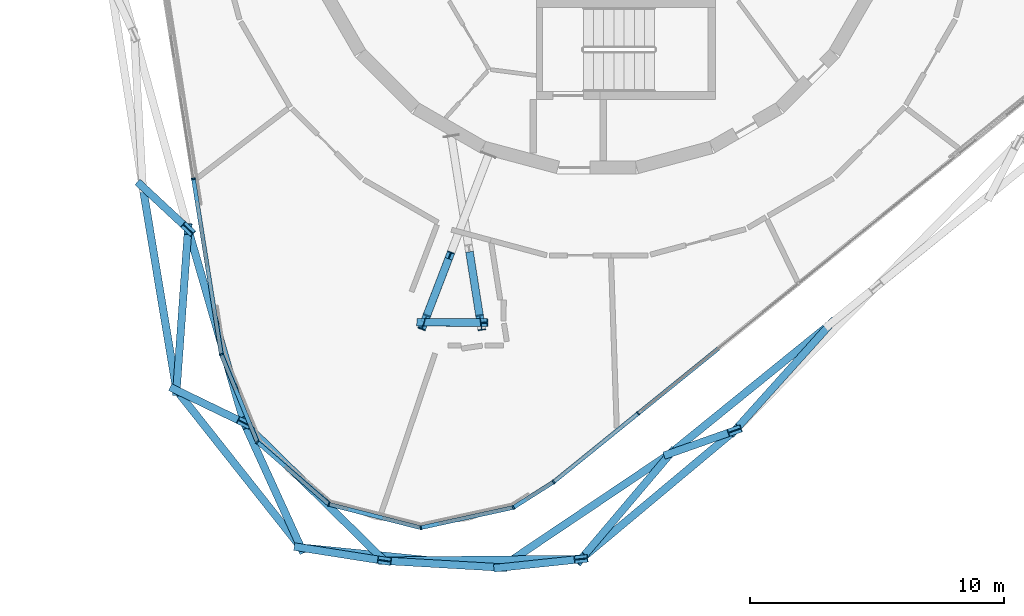
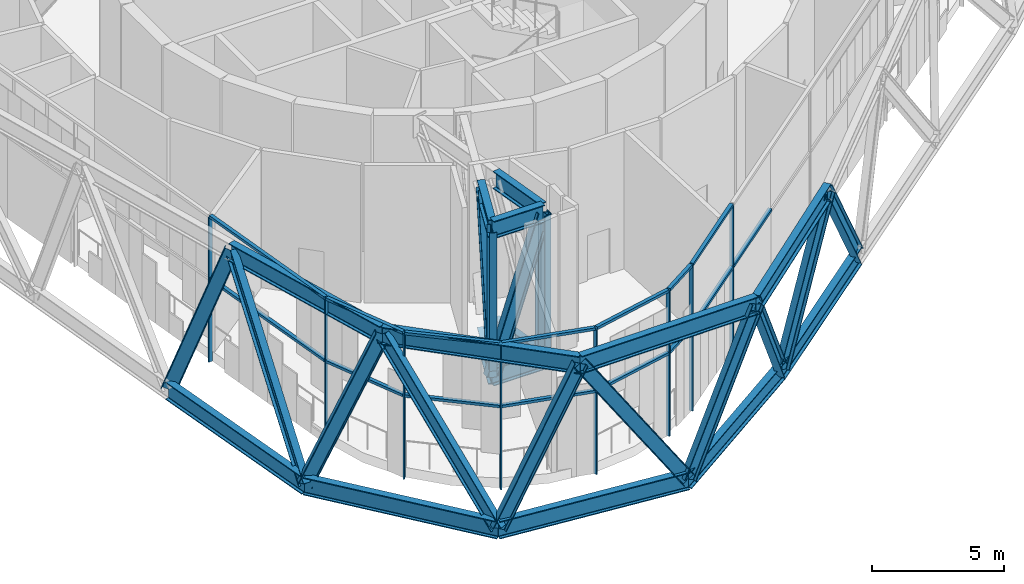
# One storey, part 1 of 25: 52 members, 2 elements without a shape of their own.
"""IFC4 building model written with IfcOpenShell, lengths in metres."""

from ifc_helpers import new_model, si_unit, direction, frame, origin, origin_2d, place, context, subcontext, project, spatial, rectangle, i_section, extrude, material, layer, layer_set, material_profile, profile_set, type_object, element, aggregate, save


model = new_model("IFC4")

# Units and contexts
model_context = context("Model", 3, precision=1e-05, world=origin(), true_north=direction((0.0, 1.0)))
body_context = subcontext(model_context, "Body", "Model", "MODEL_VIEW")
ifc_project = project(units=[si_unit("LENGTHUNIT", "METRE"), si_unit("AREAUNIT", "SQUARE_METRE"), si_unit("VOLUMEUNIT", "CUBIC_METRE"), si_unit("PLANEANGLEUNIT", "RADIAN"), si_unit("MASSUNIT", "GRAM", prefix="KILO")], contexts=[model_context])

# Site, building, storey
site_placement = place(None, origin())
site = spatial("IfcSite", under=ifc_project, at=site_placement, CompositionType="ELEMENT")
building_placement = place(site_placement, origin())
building = spatial("IfcBuilding", under=site, at=building_placement, Name="Spindle Arch Residences", CompositionType="ELEMENT")
storey_placement = place(building_placement, frame((0.0, 0.0, 291.39990234375)))
storey = spatial("IfcBuildingStorey", under=building, at=storey_placement, Name="L75", CompositionType="ELEMENT", Elevation=291.39990234375)

# Members
ifc_material_1 = material(Name="Steel S460ML, intumescent coating R 240", Category="steel")
ifc_material_profile_1 = material_profile(ifc_material_1, i_section(OverallWidth=0.302978515625, OverallDepth=0.81396484375, WebThickness=0.02099609375, FlangeThickness=0.0400390625, FilletRadius=0.030029296875, at=origin_2d()), Name="HEM 800")
ifc_profile_set_1 = profile_set([ifc_material_profile_1], Name="Steel S460ML, intumescent coating R 240")
member_type_1 = type_object("IfcMemberType", Name="Belt truss chord HEM 800", PredefinedType="CHORD", material=ifc_profile_set_1)
member_1_placement = place(storey_placement, frame((-17.87548828125, -12.407958984375, -0.85693359375), z_axis=(0.163944723379, -0.986469526988, 0.0), x_axis=(0.986469526988, 0.163944723379, 0.0)))
element("IfcMember", 1, at=member_1_placement, inside=storey, type_object=member_type_1, Name="Belt truss bottom chord L75.15", PredefinedType="CHORD", context=body_context, shape_type="SweptSolid", body=[
    extrude(i_section(OverallWidth=0.302978515625, OverallDepth=0.81396484375, WebThickness=0.02099609375, FlangeThickness=0.0400390625, FilletRadius=0.030029296875, at=origin_2d()), origin(), (0.0, 0.0, 1.0), 8.10546875),
])
member_2_placement = place(storey_placement, frame((-16.546630859375, -20.40380859375, -0.85693359375), z_axis=(0.62028604963, -0.784375685902, 0.0), x_axis=(0.784375685902, 0.62028604963, 0.0)))
element("IfcMember", 2, at=member_2_placement, inside=storey, type_object=member_type_1, Name="Belt truss bottom chord L75.16", PredefinedType="CHORD", context=body_context, shape_type="SweptSolid", body=[
    extrude(i_section(OverallWidth=0.302978515625, OverallDepth=0.81396484375, WebThickness=0.02099609375, FlangeThickness=0.0400390625, FilletRadius=0.030029296875, at=origin_2d()), origin(), (0.0, 0.0, 1.0), 7.8916015625),
])
member_3_placement = place(storey_placement, frame((-11.651611328125, -26.59375, -0.85693359375), z_axis=(0.995109517172, -0.098777774997, 0.0), x_axis=(0.098777774997, 0.995109517172, 0.0)))
element("IfcMember", 3, at=member_3_placement, inside=storey, type_object=member_type_1, Name="Belt truss bottom chord L75.17", PredefinedType="CHORD", context=body_context, shape_type="SweptSolid", body=[
    extrude(i_section(OverallWidth=0.302978515625, OverallDepth=0.81396484375, WebThickness=0.02099609375, FlangeThickness=0.0400390625, FilletRadius=0.030029296875, at=origin_2d()), origin(), (0.0, 0.0, 1.0), 7.891845703125),
])
member_4_placement = place(storey_placement, frame((-3.79833984375, -27.373291015625, -0.85693359375), z_axis=(0.829902137113, 0.557908991517, 0.0), x_axis=(-0.557908991517, 0.829902137113, 0.0)))
element("IfcMember", 4, at=member_4_placement, inside=storey, type_object=member_type_1, Name="Belt truss bottom chord L75.18", PredefinedType="CHORD", context=body_context, shape_type="SweptSolid", body=[
    extrude(i_section(OverallWidth=0.302978515625, OverallDepth=0.81396484375, WebThickness=0.02099609375, FlangeThickness=0.0400390625, FilletRadius=0.030029296875, at=origin_2d()), origin(), (0.0, 0.0, 1.0), 8.048828125),
])
member_5_placement = place(storey_placement, frame((2.88134765625, -22.8828125, -0.85693359375), z_axis=(0.777144581934, 0.629322094615, 0.0), x_axis=(-0.629322094615, 0.777144581934, 0.0)))
element("IfcMember", 5, at=member_5_placement, inside=storey, type_object=member_type_1, Name="Belt truss bottom chord L75.19", PredefinedType="CHORD", context=body_context, shape_type="SweptSolid", body=[
    extrude(i_section(OverallWidth=0.302978515625, OverallDepth=0.81396484375, WebThickness=0.02099609375, FlangeThickness=0.0400390625, FilletRadius=0.030029296875, at=origin_2d()), origin(), (0.0, 0.0, 1.0), 8.107666015625),
])
member_6_placement = place(storey_placement, frame((-16.090087890625, -14.069091796875, 5.943115234375), z_axis=(0.277695582509, -0.960669122776, 0.0), x_axis=(0.960669122776, 0.277695582509, 0.0)))
element("IfcMember", 6, at=member_6_placement, inside=storey, type_object=member_type_1, Name="Belt truss top chord L75.15", PredefinedType="CHORD", context=body_context, shape_type="SweptSolid", body=[
    extrude(i_section(OverallWidth=0.302978515625, OverallDepth=0.81396484375, WebThickness=0.02099609375, FlangeThickness=0.0400390625, FilletRadius=0.030029296875, at=origin_2d()), origin(), (0.0, 0.0, 1.0), 7.931884765625),
])
member_7_placement = place(storey_placement, frame((-13.887451171875, -21.68896484375, 5.943115234375), z_axis=(0.713111540448, -0.701050590813, 0.0), x_axis=(0.701050590813, 0.713111540448, 0.0)))
element("IfcMember", 7, at=member_7_placement, inside=storey, type_object=member_type_1, Name="Belt truss top chord L75.16", PredefinedType="CHORD", context=body_context, shape_type="SweptSolid", body=[
    extrude(i_section(OverallWidth=0.302978515625, OverallDepth=0.81396484375, WebThickness=0.02099609375, FlangeThickness=0.0400390625, FilletRadius=0.030029296875, at=origin_2d()), origin(), (0.0, 0.0, 1.0), 7.732421875),
])
member_8_placement = place(storey_placement, frame((-8.373291015625, -27.10986328125, 5.943115234375), z_axis=(0.999961202641, 0.00880870092, 0.0), x_axis=(-0.00880870092, 0.999961202641, 0.0)))
element("IfcMember", 8, at=member_8_placement, inside=storey, type_object=member_type_1, Name="Belt truss top chord L75.17", PredefinedType="CHORD", context=body_context, shape_type="SweptSolid", body=[
    extrude(i_section(OverallWidth=0.302978515625, OverallDepth=0.81396484375, WebThickness=0.02099609375, FlangeThickness=0.0400390625, FilletRadius=0.030029296875, at=origin_2d()), origin(), (0.0, 0.0, 1.0), 7.732666015625),
])
member_9_placement = place(storey_placement, frame((-0.640869140625, -27.041748046875, 5.943115234375), z_axis=(0.76713209274, 0.64148916771, 0.0), x_axis=(-0.64148916771, 0.76713209274, 0.0)))
element("IfcMember", 9, at=member_9_placement, inside=storey, type_object=member_type_1, Name="Belt truss top chord L75.18", PredefinedType="CHORD", context=body_context, shape_type="SweptSolid", body=[
    extrude(i_section(OverallWidth=0.302978515625, OverallDepth=0.81396484375, WebThickness=0.02099609375, FlangeThickness=0.0400390625, FilletRadius=0.030029296875, at=origin_2d()), origin(), (0.0, 0.0, 1.0), 7.87158203125),
])
ifc_material_2 = material(Name="Steel S460ML, intumescent coating R 240", Category="steel")
ifc_material_profile_2 = material_profile(ifc_material_2, i_section(OverallWidth=0.300048828125, OverallDepth=0.60009765625, WebThickness=0.015380859375, FlangeThickness=0.030029296875, FilletRadius=0.027099609375, at=origin_2d()), Name="HEB 600")
ifc_profile_set_2 = profile_set([ifc_material_profile_2], Name="Steel S460ML, intumescent coating R 240")
member_type_2 = type_object("IfcMemberType", Name="Belt truss diagonal HEB 600", PredefinedType="BRACE", material=ifc_profile_set_2)
member_10_placement = place(storey_placement, frame((-17.87548828125, -12.407958984375, -0.85693359375), z_axis=(0.247144885006, -0.229943087321, 0.94129994285), x_axis=(0.681168843444, 0.732126359804, 0.0)))
element("IfcMember", 10, at=member_10_placement, inside=storey, type_object=member_type_2, Name="Belt truss diagonal L75.15.15", PredefinedType="BRACE", context=body_context, shape_type="SweptSolid", body=[
    extrude(i_section(OverallWidth=0.300048828125, OverallDepth=0.60009765625, WebThickness=0.015380859375, FlangeThickness=0.030029296875, FilletRadius=0.027099609375, at=origin_2d()), origin(), (0.0, 0.0, 1.0), 7.22412109375),
])
member_11_placement = place(storey_placement, frame((-16.546630859375, -20.40380859375, -0.85693359375), z_axis=(0.049065762808, 0.680807137744, 0.730817482082), x_axis=(-0.997413031701, 0.071883546047, 0.0)))
element("IfcMember", 11, at=member_11_placement, inside=storey, type_object=member_type_2, Name="Belt truss diagonal L75.15.16", PredefinedType="BRACE", context=body_context, shape_type="SweptSolid", body=[
    extrude(i_section(OverallWidth=0.300048828125, OverallDepth=0.60009765625, WebThickness=0.015380859375, FlangeThickness=0.030029296875, FilletRadius=0.027099609375, at=origin_2d()), origin(), (0.0, 0.0, 1.0), 9.3046875),
])
member_12_placement = place(storey_placement, frame((-16.546630859375, -20.40380859375, -0.85693359375), z_axis=(0.358682664173, -0.17334791996, 0.917222571172), x_axis=(0.435137389475, 0.90036406652, 0.0)))
element("IfcMember", 12, at=member_12_placement, inside=storey, type_object=member_type_2, Name="Belt truss diagonal L75.16.16", PredefinedType="BRACE", context=body_context, shape_type="SweptSolid", body=[
    extrude(i_section(OverallWidth=0.300048828125, OverallDepth=0.60009765625, WebThickness=0.015380859375, FlangeThickness=0.030029296875, FilletRadius=0.027099609375, at=origin_2d()), origin(), (0.0, 0.0, 1.0), 7.413818359375),
])
member_13_placement = place(storey_placement, frame((-11.651611328125, -26.59375, -0.85693359375), z_axis=(-0.257663629312, 0.565239387735, 0.783654189476), x_axis=(-0.909919229924, -0.414785480719, 0.0)))
element("IfcMember", 13, at=member_13_placement, inside=storey, type_object=member_type_2, Name="Belt truss diagonal L75.16.17", PredefinedType="BRACE", context=body_context, shape_type="SweptSolid", body=[
    extrude(i_section(OverallWidth=0.300048828125, OverallDepth=0.60009765625, WebThickness=0.015380859375, FlangeThickness=0.030029296875, FilletRadius=0.027099609375, at=origin_2d()), origin(), (0.0, 0.0, 1.0), 8.67724609375),
])
member_14_placement = place(storey_placement, frame((-11.651611328125, -26.59375, -0.85693359375), z_axis=(0.433258279575, -0.068208817621, 0.898685050715), x_axis=(0.15551679236, 0.987833248729, 0.0)))
element("IfcMember", 14, at=member_14_placement, inside=storey, type_object=member_type_2, Name="Belt truss diagonal L75.17.17", PredefinedType="BRACE", context=body_context, shape_type="SweptSolid", body=[
    extrude(i_section(OverallWidth=0.300048828125, OverallDepth=0.60009765625, WebThickness=0.015380859375, FlangeThickness=0.030029296875, FilletRadius=0.027099609375, at=origin_2d()), origin(), (0.0, 0.0, 1.0), 7.566650390625),
])
member_15_placement = place(storey_placement, frame((-3.79833984375, -27.373291015625, -0.85693359375), z_axis=(-0.557919893609, 0.032125276973, 0.829272789193), x_axis=(-0.057485229687, -0.998346356916, 0.0)))
element("IfcMember", 15, at=member_15_placement, inside=storey, type_object=member_type_2, Name="Belt truss diagonal L75.17.18", PredefinedType="BRACE", context=body_context, shape_type="SweptSolid", body=[
    extrude(i_section(OverallWidth=0.300048828125, OverallDepth=0.60009765625, WebThickness=0.015380859375, FlangeThickness=0.030029296875, FilletRadius=0.027099609375, at=origin_2d()), origin(), (0.0, 0.0, 1.0), 8.199951171875),
])
member_16_placement = place(storey_placement, frame((-3.79833984375, -27.373291015625, -0.85693359375), z_axis=(0.420733615237, 0.044178168213, 0.906107893389), x_axis=(-0.104428592112, 0.99453238718, 0.0)))
element("IfcMember", 16, at=member_16_placement, inside=storey, type_object=member_type_2, Name="Belt truss diagonal L75.18.18", PredefinedType="BRACE", context=body_context, shape_type="SweptSolid", body=[
    extrude(i_section(OverallWidth=0.300048828125, OverallDepth=0.60009765625, WebThickness=0.015380859375, FlangeThickness=0.030029296875, FilletRadius=0.027099609375, at=origin_2d()), origin(), (0.0, 0.0, 1.0), 7.504638671875),
])
member_17_placement = place(storey_placement, frame((2.88134765625, -22.8828125, -0.85693359375), z_axis=(-0.404176452733, -0.477240304451, 0.780309609619), x_axis=(0.763104150671, -0.646275525784, 0.0)))
element("IfcMember", 17, at=member_17_placement, inside=storey, type_object=member_type_2, Name="Belt truss diagonal L75.18.19", PredefinedType="BRACE", context=body_context, shape_type="SweptSolid", body=[
    extrude(i_section(OverallWidth=0.300048828125, OverallDepth=0.60009765625, WebThickness=0.015380859375, FlangeThickness=0.030029296875, FilletRadius=0.027099609375, at=origin_2d()), origin(), (0.0, 0.0, 1.0), 8.714599609375),
])
member_18_placement = place(storey_placement, frame((2.88134765625, -22.8828125, -0.85693359375), z_axis=(0.344461176311, 0.121916597573, 0.93085060093), x_axis=(-0.333652430607, 0.942696162902, 0.0)))
element("IfcMember", 18, at=member_18_placement, inside=storey, type_object=member_type_2, Name="Belt truss diagonal L75.19.19", PredefinedType="BRACE", context=body_context, shape_type="SweptSolid", body=[
    extrude(i_section(OverallWidth=0.300048828125, OverallDepth=0.60009765625, WebThickness=0.015380859375, FlangeThickness=0.030029296875, FilletRadius=0.027099609375, at=origin_2d()), origin(), (0.0, 0.0, 1.0), 7.30517578125),
])
member_19_placement = place(storey_placement, frame((9.18212890625, -17.780517578125, -0.85693359375), z_axis=(-0.427678058711, -0.475961176107, 0.768474096464), x_axis=(0.743827762199, -0.668371349014, 0.0)))
element("IfcMember", 19, at=member_19_placement, inside=storey, type_object=member_type_2, Name="Belt truss diagonal L75.19.20", PredefinedType="BRACE", context=body_context, shape_type="SweptSolid", body=[
    extrude(i_section(OverallWidth=0.300048828125, OverallDepth=0.60009765625, WebThickness=0.015380859375, FlangeThickness=0.030029296875, FilletRadius=0.027099609375, at=origin_2d()), origin(), (0.0, 0.0, 1.0), 8.848876953125),
])

# Curtain wall, members
ifc_material_3 = material(Name="Aluminium bronze unitised frame with tinted glass", Category="aluminium")
ifc_layer = layer(ifc_material_3, 0.159912109375)
ifc_layer_set = layer_set([ifc_layer], Name="CW-E double-height winter garden wall")
curtain_wall_type = type_object("IfcCurtainWallType", Name="CW-E double-height winter garden wall", PredefinedType="NOTDEFINED", material=ifc_layer_set)
curtain_wall_1_placement = place(storey_placement, origin())
curtain_wall_1 = element("IfcCurtainWall", 20, at=curtain_wall_1_placement, inside=storey, type_object=curtain_wall_type, Name="CW-E L75 run 5", PredefinedType="NOTDEFINED")
ifc_material_4 = material(Name="Aluminium bronze anodised mullion", Category="aluminium")
ifc_material_profile_3 = material_profile(ifc_material_4, rectangle(XDim=0.159912109375, YDim=0.06005859375, at=origin_2d()), Name="MU 60x160")
ifc_profile_set_3 = profile_set([ifc_material_profile_3], Name="Aluminium bronze anodised mullion")
member_type_3 = type_object("IfcMemberType", Name="Bronze mullion 60x160", PredefinedType="MULLION", material=ifc_profile_set_3)
member_20_placement = place(storey_placement, frame((-15.880615234375, -12.092041015625, -0.449951171875), z_axis=(0.0, 0.0, 1.0), x_axis=(0.987688340595, 0.15643446504, 0.0)))
member_20 = element("IfcMember", 21, at=member_20_placement, type_object=member_type_3, Name="CW-E mullion 00", PredefinedType="MULLION", context=body_context, shape_type="SweptSolid", body=[
    extrude(rectangle(XDim=0.159912109375, YDim=0.06005859375, at=origin_2d()), origin(), (0.0, 0.0, 1.0), 6.679931640625),
])
member_21_placement = place(storey_placement, frame((-14.787109375, -18.99560546875, -0.449951171875), z_axis=(0.0, 0.0, 1.0), x_axis=(0.92498880334, 0.379994360085, 0.0)))
member_21 = element("IfcMember", 22, at=member_21_placement, type_object=member_type_3, Name="CW-E mullion 01", PredefinedType="MULLION", context=body_context, shape_type="SweptSolid", body=[
    extrude(rectangle(XDim=0.159912109375, YDim=0.06005859375, at=origin_2d()), origin(), (0.0, 0.0, 1.0), 6.679931640625),
])
member_22_placement = place(storey_placement, frame((-13.370849609375, -22.44287109375, -0.449951171875), z_axis=(0.0, 0.0, 1.0), x_axis=(0.656059025711, 0.754709583074, 0.0)))
member_22 = element("IfcMember", 23, at=member_22_placement, type_object=member_type_3, Name="CW-E mullion 02", PredefinedType="MULLION", context=body_context, shape_type="SweptSolid", body=[
    extrude(rectangle(XDim=0.159912109375, YDim=0.06005859375, at=origin_2d()), origin(), (0.0, 0.0, 1.0), 6.679931640625),
])
member_23_placement = place(storey_placement, frame((-10.558349609375, -24.887939453125, -0.449951171875), z_axis=(0.0, 0.0, 1.0), x_axis=(0.247562720743, 0.968871869392, 0.0)))
member_23 = element("IfcMember", 24, at=member_23_placement, type_object=member_type_3, Name="CW-E mullion 03", PredefinedType="MULLION", context=body_context, shape_type="SweptSolid", body=[
    extrude(rectangle(XDim=0.159912109375, YDim=0.06005859375, at=origin_2d()), origin(), (0.0, 0.0, 1.0), 6.679931640625),
])
member_24_placement = place(storey_placement, frame((-6.947509765625, -25.810546875, -0.449951171875), z_axis=(0.0, 0.0, 1.0), x_axis=(-0.213598770213, 0.976921473489, 0.0)))
member_24 = element("IfcMember", 25, at=member_24_placement, type_object=member_type_3, Name="CW-E mullion 04", PredefinedType="MULLION", context=body_context, shape_type="SweptSolid", body=[
    extrude(rectangle(XDim=0.159912109375, YDim=0.06005859375, at=origin_2d()), origin(), (0.0, 0.0, 1.0), 6.679931640625),
])
member_25_placement = place(storey_placement, frame((-3.306884765625, -25.014404296875, -0.449951171875), z_axis=(0.0, 0.0, 1.0), x_axis=(-0.53484401224, 0.844950816658, 0.0)))
member_25 = element("IfcMember", 26, at=member_25_placement, type_object=member_type_3, Name="CW-E mullion 05", PredefinedType="MULLION", context=body_context, shape_type="SweptSolid", body=[
    extrude(rectangle(XDim=0.159912109375, YDim=0.06005859375, at=origin_2d()), origin(), (0.0, 0.0, 1.0), 6.679931640625),
])
member_26_placement = place(storey_placement, frame((-1.7216796875, -24.010986328125, -0.449951171875), z_axis=(0.0, 0.0, 1.0), x_axis=(-0.62932039105, 0.777145961457, 0.0)))
member_26 = element("IfcMember", 27, at=member_26_placement, type_object=member_type_3, Name="CW-E mullion 06", PredefinedType="MULLION", context=body_context, shape_type="SweptSolid", body=[
    extrude(rectangle(XDim=0.159912109375, YDim=0.06005859375, at=origin_2d()), origin(), (0.0, 0.0, 1.0), 6.679931640625),
])

# Curtain wall, member
curtain_wall_2_placement = place(storey_placement, origin())
curtain_wall_2 = element("IfcCurtainWall", 28, at=curtain_wall_2_placement, inside=storey, type_object=curtain_wall_type, Name="CW-E L75 run 6", PredefinedType="NOTDEFINED")
member_27_placement = place(storey_placement, frame((1.610107421875, -21.31298828125, -0.449951171875), z_axis=(0.0, 0.0, 1.0), x_axis=(-0.62932039105, 0.777145961457, 0.0)))
member_27 = element("IfcMember", 29, at=member_27_placement, type_object=member_type_3, Name="CW-E mullion 18", PredefinedType="MULLION", context=body_context, shape_type="SweptSolid", body=[
    extrude(rectangle(XDim=0.159912109375, YDim=0.06005859375, at=origin_2d()), origin(), (0.0, 0.0, 1.0), 6.679931640625),
])

# Member
ifc_material_5 = material(Name="Aluminium bronze anodised transom", Category="aluminium")
ifc_material_profile_4 = material_profile(ifc_material_5, rectangle(XDim=0.159912109375, YDim=0.1201171875, at=origin_2d()), Name="TR 120x160")
ifc_profile_set_4 = profile_set([ifc_material_profile_4], Name="Aluminium bronze anodised transom")
member_type_4 = type_object("IfcMemberType", Name="Bronze transom 120x160", PredefinedType="USERDEFINED", material=ifc_profile_set_4)
member_28_placement = place(storey_placement, frame((-15.875732421875, -12.12158203125, 6.2900390625), z_axis=(0.156423886955, -0.987690015941, 0.0), x_axis=(0.987690015941, 0.156423886955, 0.0)))
member_28 = element("IfcMember", 30, at=member_28_placement, type_object=member_type_4, Name="CW-E transom 00", ObjectType="TRANSOM", PredefinedType="USERDEFINED", context=body_context, shape_type="SweptSolid", body=[
    extrude(rectangle(XDim=0.159912109375, YDim=0.1201171875, at=origin_2d()), origin(), (0.0, 0.0, 1.0), 6.9296875),
])

member_29_placement = place(storey_placement, frame((-15.875732421875, -12.12158203125, 3.400146484375), z_axis=(0.156423886955, -0.987690015941, 0.0), x_axis=(0.987690015941, 0.156423886955, 0.0)))
member_29 = element("IfcMember", 31, at=member_29_placement, type_object=member_type_4, Name="CW-E transom 00m", ObjectType="TRANSOM", PredefinedType="USERDEFINED", context=body_context, shape_type="SweptSolid", body=[
    extrude(rectangle(XDim=0.159912109375, YDim=0.1201171875, at=origin_2d()), origin(), (0.0, 0.0, 1.0), 6.9296875),
])

member_30_placement = place(storey_placement, frame((-14.775634765625, -19.0234375, 6.2900390625), z_axis=(0.379996173922, -0.924988058196, 0.0), x_axis=(0.924988058196, 0.379996173922, 0.0)))
member_30 = element("IfcMember", 32, at=member_30_placement, type_object=member_type_4, Name="CW-E transom 01", ObjectType="TRANSOM", PredefinedType="USERDEFINED", context=body_context, shape_type="SweptSolid", body=[
    extrude(rectangle(XDim=0.159912109375, YDim=0.1201171875, at=origin_2d()), origin(), (0.0, 0.0, 1.0), 3.666748046875),
])

member_31_placement = place(storey_placement, frame((-14.775634765625, -19.0234375, 3.400146484375), z_axis=(0.379996173922, -0.924988058196, 0.0), x_axis=(0.924988058196, 0.379996173922, 0.0)))
member_31 = element("IfcMember", 33, at=member_31_placement, type_object=member_type_4, Name="CW-E transom 01m", ObjectType="TRANSOM", PredefinedType="USERDEFINED", context=body_context, shape_type="SweptSolid", body=[
    extrude(rectangle(XDim=0.159912109375, YDim=0.1201171875, at=origin_2d()), origin(), (0.0, 0.0, 1.0), 3.666748046875),
])

member_32_placement = place(storey_placement, frame((-13.348388671875, -22.462646484375, 6.2900390625), z_axis=(0.754721618998, -0.656045179708, 0.0), x_axis=(0.656045179708, 0.754721618998, 0.0)))
member_32 = element("IfcMember", 34, at=member_32_placement, type_object=member_type_4, Name="CW-E transom 02", ObjectType="TRANSOM", PredefinedType="USERDEFINED", context=body_context, shape_type="SweptSolid", body=[
    extrude(rectangle(XDim=0.159912109375, YDim=0.1201171875, at=origin_2d()), origin(), (0.0, 0.0, 1.0), 3.666748046875),
])

member_33_placement = place(storey_placement, frame((-13.348388671875, -22.462646484375, 3.400146484375), z_axis=(0.754721618998, -0.656045179708, 0.0), x_axis=(0.656045179708, 0.754721618998, 0.0)))
member_33 = element("IfcMember", 35, at=member_33_placement, type_object=member_type_4, Name="CW-E transom 02m", ObjectType="TRANSOM", PredefinedType="USERDEFINED", context=body_context, shape_type="SweptSolid", body=[
    extrude(rectangle(XDim=0.159912109375, YDim=0.1201171875, at=origin_2d()), origin(), (0.0, 0.0, 1.0), 3.666748046875),
])

member_34_placement = place(storey_placement, frame((-10.529296875, -24.895263671875, 6.2900390625), z_axis=(0.968876271824, -0.247545490561, 0.0), x_axis=(0.247545490561, 0.968876271824, 0.0)))
member_34 = element("IfcMember", 36, at=member_34_placement, type_object=member_type_4, Name="CW-E transom 03", ObjectType="TRANSOM", PredefinedType="USERDEFINED", context=body_context, shape_type="SweptSolid", body=[
    extrude(rectangle(XDim=0.159912109375, YDim=0.1201171875, at=origin_2d()), origin(), (0.0, 0.0, 1.0), 3.666748046875),
])

member_35_placement = place(storey_placement, frame((-10.529296875, -24.895263671875, 3.400146484375), z_axis=(0.968876271824, -0.247545490561, 0.0), x_axis=(0.247545490561, 0.968876271824, 0.0)))
member_35 = element("IfcMember", 37, at=member_35_placement, type_object=member_type_4, Name="CW-E transom 03m", ObjectType="TRANSOM", PredefinedType="USERDEFINED", context=body_context, shape_type="SweptSolid", body=[
    extrude(rectangle(XDim=0.159912109375, YDim=0.1201171875, at=origin_2d()), origin(), (0.0, 0.0, 1.0), 3.666748046875),
])

member_36_placement = place(storey_placement, frame((-6.918212890625, -25.803955078125, 6.2900390625), z_axis=(0.976920862917, 0.213601562721, 0.0), x_axis=(-0.213601562721, 0.976920862917, 0.0)))
member_36 = element("IfcMember", 38, at=member_36_placement, type_object=member_type_4, Name="CW-E transom 04", ObjectType="TRANSOM", PredefinedType="USERDEFINED", context=body_context, shape_type="SweptSolid", body=[
    extrude(rectangle(XDim=0.159912109375, YDim=0.1201171875, at=origin_2d()), origin(), (0.0, 0.0, 1.0), 3.666748046875),
])

member_37_placement = place(storey_placement, frame((-6.918212890625, -25.803955078125, 3.400146484375), z_axis=(0.976920862917, 0.213601562721, 0.0), x_axis=(-0.213601562721, 0.976920862917, 0.0)))
member_37 = element("IfcMember", 39, at=member_37_placement, type_object=member_type_4, Name="CW-E transom 04m", ObjectType="TRANSOM", PredefinedType="USERDEFINED", context=body_context, shape_type="SweptSolid", body=[
    extrude(rectangle(XDim=0.159912109375, YDim=0.1201171875, at=origin_2d()), origin(), (0.0, 0.0, 1.0), 3.666748046875),
])

member_38_placement = place(storey_placement, frame((-3.281494140625, -24.998291015625, 6.2900390625), z_axis=(0.844970968959, 0.534812174148, 0.0), x_axis=(-0.534812174148, 0.844970968959, 0.0)))
member_38 = element("IfcMember", 40, at=member_38_placement, type_object=member_type_4, Name="CW-E transom 05", ObjectType="TRANSOM", PredefinedType="USERDEFINED", context=body_context, shape_type="SweptSolid", body=[
    extrude(rectangle(XDim=0.159912109375, YDim=0.1201171875, at=origin_2d()), origin(), (0.0, 0.0, 1.0), 1.81591796875),
])

member_39_placement = place(storey_placement, frame((-3.281494140625, -24.998291015625, 3.400146484375), z_axis=(0.844970968959, 0.534812174148, 0.0), x_axis=(-0.534812174148, 0.844970968959, 0.0)))
member_39 = element("IfcMember", 41, at=member_39_placement, type_object=member_type_4, Name="CW-E transom 05m", ObjectType="TRANSOM", PredefinedType="USERDEFINED", context=body_context, shape_type="SweptSolid", body=[
    extrude(rectangle(XDim=0.159912109375, YDim=0.1201171875, at=origin_2d()), origin(), (0.0, 0.0, 1.0), 1.81591796875),
])

member_40_placement = place(storey_placement, frame((-1.6982421875, -23.9921875, 6.2900390625), z_axis=(0.777130537676, 0.629339437356, 0.0), x_axis=(-0.629339437356, 0.777130537676, 0.0)))
member_40 = element("IfcMember", 42, at=member_40_placement, type_object=member_type_4, Name="CW-E transom 06", ObjectType="TRANSOM", PredefinedType="USERDEFINED", context=body_context, shape_type="SweptSolid", body=[
    extrude(rectangle(XDim=0.159912109375, YDim=0.1201171875, at=origin_2d()), origin(), (0.0, 0.0, 1.0), 4.227294921875),
])

member_41_placement = place(storey_placement, frame((-1.6982421875, -23.9921875, 3.400146484375), z_axis=(0.777130537676, 0.629339437356, 0.0), x_axis=(-0.629339437356, 0.777130537676, 0.0)))
member_41 = element("IfcMember", 43, at=member_41_placement, type_object=member_type_4, Name="CW-E transom 06m", ObjectType="TRANSOM", PredefinedType="USERDEFINED", context=body_context, shape_type="SweptSolid", body=[
    extrude(rectangle(XDim=0.159912109375, YDim=0.1201171875, at=origin_2d()), origin(), (0.0, 0.0, 1.0), 4.227294921875),
])

aggregate(curtain_wall_1, [member_20, member_28, member_29, member_21, member_30, member_31, member_22, member_32, member_33, member_23, member_34, member_35, member_24, member_36, member_37, member_25, member_38, member_39, member_26, member_40, member_41])

member_42_placement = place(storey_placement, frame((1.633544921875, -21.294189453125, 3.400146484375), z_axis=(0.777137471281, 0.6293308754, 0.0), x_axis=(-0.6293308754, 0.777137471281, 0.0)))
member_42 = element("IfcMember", 44, at=member_42_placement, type_object=member_type_4, Name="CW-E transom 18Am", ObjectType="TRANSOM", PredefinedType="USERDEFINED", context=body_context, shape_type="SweptSolid", body=[
    extrude(rectangle(XDim=0.159912109375, YDim=0.1201171875, at=origin_2d()), origin(), (0.0, 0.0, 1.0), 4.023681640625),
])

aggregate(curtain_wall_2, [member_27, member_42])

# Members
ifc_material_6 = material(Name="Steel S460ML, intumescent coating R 240", Category="steel")
ifc_material_profile_5 = material_profile(ifc_material_6, i_section(OverallWidth=0.302978515625, OverallDepth=0.81396484375, WebThickness=0.02099609375, FlangeThickness=0.0400390625, FilletRadius=0.030029296875, at=origin_2d()), Name="HEM 800")
ifc_profile_set_5 = profile_set([ifc_material_profile_5], Name="Steel S460ML, intumescent coating R 240")
member_type_5 = type_object("IfcMemberType", Name="Transfer truss chord HEM 800", PredefinedType="CHORD", material=ifc_profile_set_5)
for number, where, z_axis, x_axis, name in (
    (45, (-5.84912109375, -15.237548828125, -0.85693359375), (-0.358403393526, -0.933566820056, 0.0), (0.933566820056, -0.358403393526, 0.0), "Transfer truss chord L75"),
    (46, (-5.84912109375, -15.237548828125, 5.943115234375), (-0.358403393526, -0.933566820056, 0.0), (0.933566820056, -0.358403393526, 0.0), "Transfer truss chord L75"),
):
    element("IfcMember", number, at=place(storey_placement, frame(where, z_axis=z_axis, x_axis=x_axis)), inside=storey, type_object=member_type_5, Name=name, PredefinedType="CHORD", context=body_context, shape_type="SweptSolid", body=[
        extrude(i_section(OverallWidth=0.302978515625, OverallDepth=0.81396484375, WebThickness=0.02099609375, FlangeThickness=0.0400390625, FilletRadius=0.030029296875, at=origin_2d()), origin(), (0.0, 0.0, 1.0), 2.671630859375),
    ])
for number, where, z_axis, x_axis, name in (
    (47, (-6.806640625, -17.731689453125, -0.85693359375), (0.999980990501, -0.006165925508, 0.0), (0.006165925508, 0.999980990501, 0.0), "Transfer truss chord L75"),
    (48, (-6.806640625, -17.731689453125, 5.943115234375), (0.999980990501, -0.006165925508, 0.0), (0.006165925508, 0.999980990501, 0.0), "Transfer truss chord L75"),
):
    element("IfcMember", number, at=place(storey_placement, frame(where, z_axis=z_axis, x_axis=x_axis)), inside=storey, type_object=member_type_5, Name=name, PredefinedType="CHORD", context=body_context, shape_type="SweptSolid", body=[
        extrude(i_section(OverallWidth=0.302978515625, OverallDepth=0.81396484375, WebThickness=0.02099609375, FlangeThickness=0.0400390625, FilletRadius=0.030029296875, at=origin_2d()), origin(), (0.0, 0.0, 1.0), 2.21728515625),
    ])
for number, where, z_axis, x_axis, name in (
    (49, (-5.028076171875, -14.96240234375, -0.85693359375), (0.15572227189, -0.987800877727, 0.0), (0.987800877727, 0.15572227189, 0.0), "Transfer truss chord L75"),
    (50, (-5.028076171875, -14.96240234375, 5.943115234375), (0.15572227189, -0.987800877727, 0.0), (0.987800877727, 0.15572227189, 0.0), "Transfer truss chord L75"),
):
    element("IfcMember", number, at=place(storey_placement, frame(where, z_axis=z_axis, x_axis=x_axis)), inside=storey, type_object=member_type_5, Name=name, PredefinedType="CHORD", context=body_context, shape_type="SweptSolid", body=[
        extrude(i_section(OverallWidth=0.302978515625, OverallDepth=0.81396484375, WebThickness=0.02099609375, FlangeThickness=0.0400390625, FilletRadius=0.030029296875, at=origin_2d()), origin(), (0.0, 0.0, 1.0), 2.8173828125),
    ])
ifc_material_7 = material(Name="Steel S460ML, intumescent coating R 240", Category="steel")
ifc_material_profile_6 = material_profile(ifc_material_7, i_section(OverallWidth=0.304931640625, OverallDepth=0.6201171875, WebThickness=0.02099609375, FlangeThickness=0.0400390625, FilletRadius=0.027099609375, at=origin_2d()), Name="HEM 600")
ifc_profile_set_6 = profile_set([ifc_material_profile_6], Name="Steel S460ML, intumescent coating R 240")
member_type_6 = type_object("IfcMemberType", Name="Transfer truss diagonal HEM 600", PredefinedType="BRACE", material=ifc_profile_set_6)
member_43_placement = place(storey_placement, frame((-6.806640625, -17.731689453125, -0.85693359375), z_axis=(0.131058591216, 0.341380562944, 0.930743228239), x_axis=(-0.933566820056, 0.358403393526, 0.0)))
element("IfcMember", 51, at=member_43_placement, inside=storey, type_object=member_type_6, Name="Transfer truss diagonal L75", PredefinedType="BRACE", context=body_context, shape_type="SweptSolid", body=[
    extrude(i_section(OverallWidth=0.304931640625, OverallDepth=0.6201171875, WebThickness=0.02099609375, FlangeThickness=0.0400390625, FilletRadius=0.027099609375, at=origin_2d()), origin(), (0.0, 0.0, 1.0), 7.30615234375),
])
member_44_placement = place(storey_placement, frame((-6.806640625, -17.731689453125, -0.85693359375), z_axis=(0.310004606783, -0.001911501649, 0.950733132869), x_axis=(0.006165925508, 0.999980990501, 0.0)))
element("IfcMember", 52, at=member_44_placement, inside=storey, type_object=member_type_6, Name="Transfer truss diagonal L75", PredefinedType="BRACE", context=body_context, shape_type="SweptSolid", body=[
    extrude(i_section(OverallWidth=0.304931640625, OverallDepth=0.6201171875, WebThickness=0.02099609375, FlangeThickness=0.0400390625, FilletRadius=0.027099609375, at=origin_2d()), origin(), (0.0, 0.0, 1.0), 7.15234375),
])
ifc_material_8 = material(Name="Steel S460ML, intumescent coating R 240", Category="steel")
ifc_material_profile_7 = material_profile(ifc_material_8, i_section(OverallWidth=0.300048828125, OverallDepth=0.60009765625, WebThickness=0.015380859375, FlangeThickness=0.030029296875, FilletRadius=0.027099609375, at=origin_2d()), Name="HEB 600")
ifc_profile_set_7 = profile_set([ifc_material_profile_7], Name="Steel S460ML, intumescent coating R 240")
member_type_7 = type_object("IfcMemberType", Name="Transfer truss post HEB 600", PredefinedType="POST", material=ifc_profile_set_7)
member_45_placement = place(storey_placement, frame((-6.806640625, -17.731689453125, -0.449951171875), z_axis=(0.0, 0.0, 1.0), x_axis=(-0.933579755541, 0.35836969744, 0.0)))
element("IfcMember", 53, at=member_45_placement, inside=storey, type_object=member_type_7, Name="Transfer truss post L75", PredefinedType="POST", context=body_context, shape_type="SweptSolid", body=[
    extrude(i_section(OverallWidth=0.300048828125, OverallDepth=0.60009765625, WebThickness=0.015380859375, FlangeThickness=0.030029296875, FilletRadius=0.027099609375, at=origin_2d()), origin(), (0.0, 0.0, 1.0), 6.39306640625),
])
member_46_placement = place(storey_placement, frame((-4.58935546875, -17.745361328125, -0.85693359375), z_axis=(0.0, 0.0, 1.0), x_axis=(-0.987800080713, -0.155727327544, 0.0)))
element("IfcMember", 54, at=member_46_placement, inside=storey, type_object=member_type_7, Name="Transfer truss post L75", PredefinedType="POST", context=body_context, shape_type="SweptSolid", body=[
    extrude(i_section(OverallWidth=0.300048828125, OverallDepth=0.60009765625, WebThickness=0.015380859375, FlangeThickness=0.030029296875, FilletRadius=0.027099609375, at=origin_2d()), origin(), (0.0, 0.0, 1.0), 6.800048828125),
])

save(model, "model.ifc")
